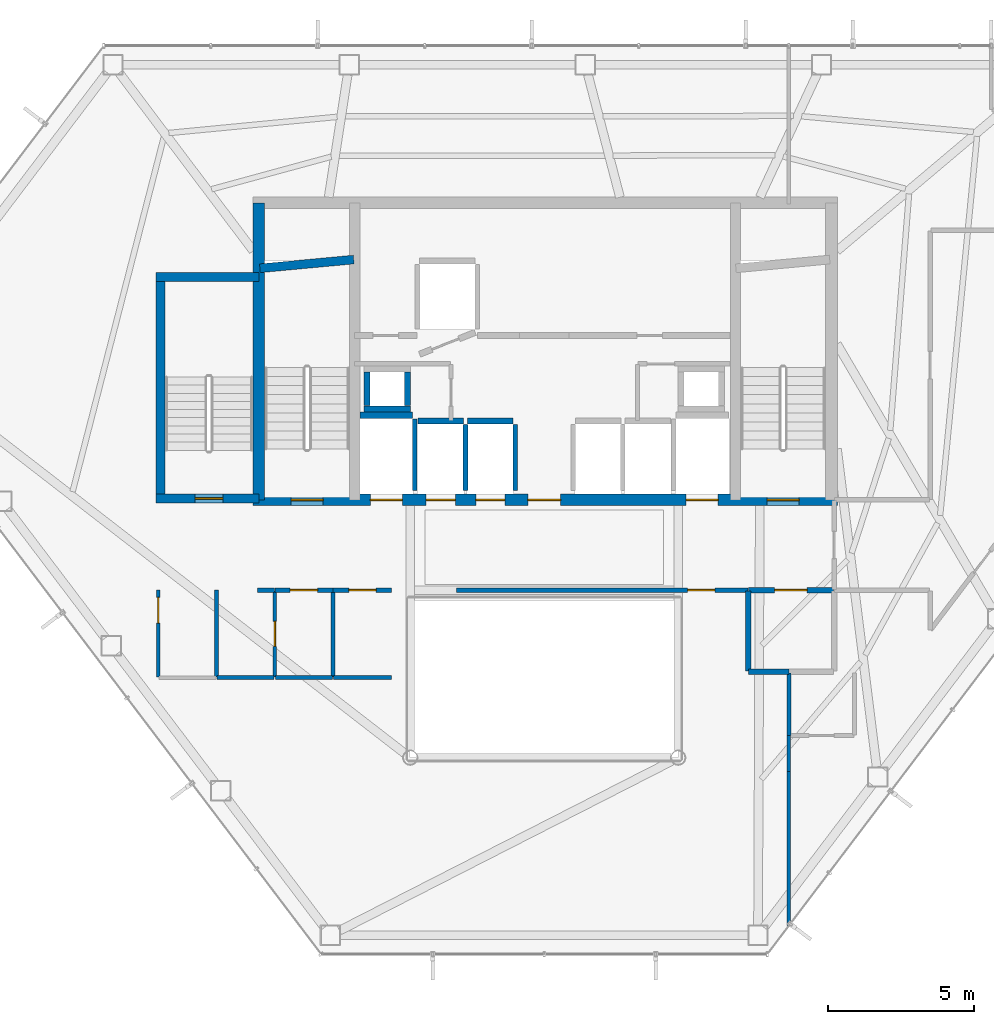
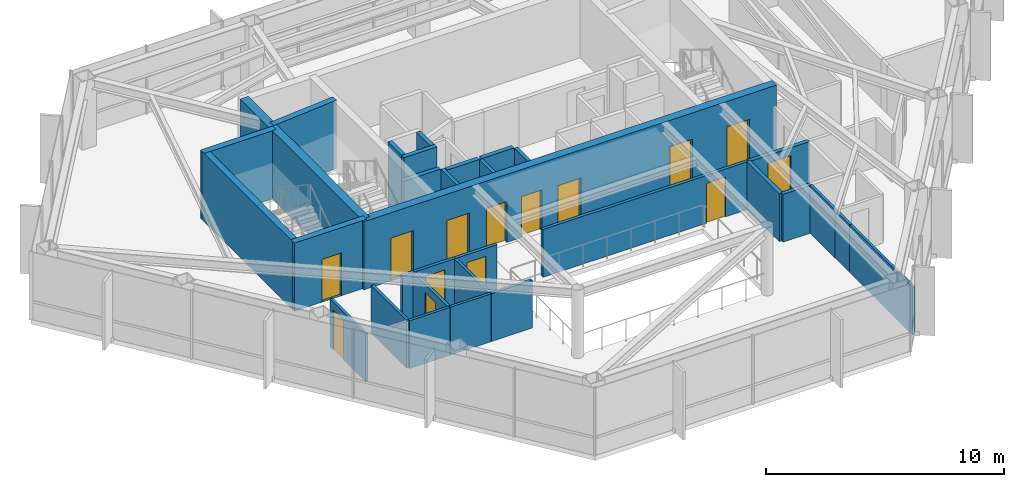
# One storey, part 25 of 28: 32 walls, 14 doors, 14 openings.
"""IFC4 building model written with IfcOpenShell, lengths in metres."""

from ifc_helpers import new_model, si_unit, direction, frame, frame_2d, origin, place, context, subcontext, project, spatial, rectangle, extrude, material, layer, layer_set, type_object, element, fill, save


model = new_model("IFC4")

# Units and contexts
model_context = context("Model", 3, precision=1e-05, world=origin(), true_north=direction((0.0, 1.0)))
body_context = subcontext(model_context, "Body", "Model", "MODEL_VIEW")
ifc_project = project(units=[si_unit("LENGTHUNIT", "METRE"), si_unit("AREAUNIT", "SQUARE_METRE"), si_unit("VOLUMEUNIT", "CUBIC_METRE"), si_unit("PLANEANGLEUNIT", "RADIAN"), si_unit("MASSUNIT", "GRAM", prefix="KILO")], contexts=[model_context])

# Site, building, storey
site_placement = place(None, origin())
site = spatial("IfcSite", under=ifc_project, at=site_placement, CompositionType="ELEMENT")
building_placement = place(site_placement, origin())
building = spatial("IfcBuilding", under=site, at=building_placement, Name="Zarrinselat Tower", CompositionType="ELEMENT")
storey_placement = place(building_placement, frame((0.0, 0.0, 164.56005859375)))
storey = spatial("IfcBuildingStorey", under=building, at=storey_placement, Name="L40", CompositionType="ELEMENT", Elevation=164.56005859375)

# Wall, opening, door
ifc_material_1 = material(Name="Concrete C40/50", Category="concrete")
ifc_layer_1 = layer(ifc_material_1, 0.18994140625)
ifc_layer_set_1 = layer_set([ifc_layer_1], Name="Concrete C40/50")
wall_type_1 = type_object("IfcWallType", Name="WAL-PART-EI120", PredefinedType="PARTITIONING", material=ifc_layer_set_1)
wall_1_placement = place(storey_placement, frame((45.405029296875, 30.14990234375, 0.0), z_axis=(0.0, 0.0, 1.0), x_axis=(1.0, 0.0, 0.0)))
wall_1 = element("IfcWall", 1, at=wall_1_placement, inside=storey, type_object=wall_type_1, Name="L40 Partition Wall 9", PredefinedType="PARTITIONING", context=body_context, shape_type="SweptSolid", body=[
    extrude(rectangle(XDim=2.925048828125, YDim=0.18994140625, at=frame_2d((1.46240234375, 0.0))), origin(), (0.0, 0.0, 1.0), 2.45703125),
])
opening_1_placement = place(wall_1_placement, frame((0.902587890625, 0.0, 0.0)))
opening_1 = element("IfcOpeningElement", 2, at=opening_1_placement, cuts=wall_1, Name="Opening ID-02", PredefinedType="OPENING", context=body_context, shape_type="SweptSolid", body=[
    extrude(rectangle(XDim=1.1201171875, YDim=2.050048828125, at=frame_2d((0.56005859375, 1.02490234375))), frame((0.0, 0.10498046875, 0.0), z_axis=(0.0, -1.0, 0.0), x_axis=(1.0, 0.0, 0.0)), (0.0, 0.0, 1.0), 0.2099609375),
])
ifc_material_2 = material(Name="Steel S355J2", Category="steel")
door_type_1 = type_object("IfcDoorType", Name="DR-INT-FD60-W", OperationType="NOTDEFINED", PredefinedType="DOOR", material=ifc_material_2)
door_1_placement = place(opening_1_placement, origin())
door_1 = element("IfcDoor", 3, at=door_1_placement, inside=storey, type_object=door_type_1, Name="L40 Interior Door P9", OperationType="SINGLE_SWING_RIGHT", OverallHeight=2.050048828125, OverallWidth=1.1201171875, PredefinedType="DOOR", context=body_context, shape_type="SweptSolid", body=[
    extrude(rectangle(XDim=1.1201171875, YDim=2.050048828125, at=frame_2d((0.56005859375, 1.02490234375))), frame((0.0, 0.02490234375, 0.0), z_axis=(0.0, -1.0, 0.0), x_axis=(1.0, 0.0, 0.0)), (0.0, 0.0, 1.0), 0.050048828125),
])
fill(opening_1, door_1)

# Walls
wall_2_placement = place(storey_placement, frame((45.419921875, 27.35009765625, 0.0), z_axis=(0.0, 0.0, 1.0), x_axis=(1.0, 0.0, 0.0)))
element("IfcWall", 4, at=wall_2_placement, inside=storey, type_object=wall_type_1, Name="L40 Partition Wall 15", PredefinedType="PARTITIONING", context=body_context, shape_type="SweptSolid", body=[
    extrude(rectangle(XDim=1.375, YDim=0.18994140625, at=frame_2d((0.6875, 0.0))), origin(), (0.0, 0.0, 1.0), 2.45703125),
])
wall_3_placement = place(storey_placement, frame((45.39990234375, 27.3701171875, 0.0), z_axis=(0.0, 0.0, 1.0), x_axis=(0.0, 1.0, 0.0)))
element("IfcWall", 5, at=wall_3_placement, inside=storey, type_object=wall_type_1, Name="L40 Partition Wall 16", PredefinedType="PARTITIONING", context=body_context, shape_type="SweptSolid", body=[
    extrude(rectangle(XDim=2.759765625, YDim=0.18994140625, at=frame_2d((1.3798828125, 0.0))), origin(), (0.0, 0.0, 1.0), 2.45703125),
])
ifc_material_3 = material(Name="Fire-Rated Gypsum Board Partition", Category="gypsum")
ifc_layer_2 = layer(ifc_material_3, 0.14990234375)
ifc_layer_set_2 = layer_set([ifc_layer_2], Name="Fire-Rated Gypsum Board Partition")
wall_type_2 = type_object("IfcWallType", Name="WAL-PART-EI60", PredefinedType="PARTITIONING", material=ifc_layer_set_2)
wall_4_placement = place(storey_placement, frame((28.550048828125, 30.14990234375, 0.0), z_axis=(0.0, 0.0, 1.0), x_axis=(1.0, 0.0, 0.0)))
element("IfcWall", 6, at=wall_4_placement, inside=storey, type_object=wall_type_2, Name="L40 Partition Wall 11", PredefinedType="PARTITIONING", context=body_context, shape_type="SweptSolid", body=[
    extrude(rectangle(XDim=0.594970703125, YDim=0.14990234375, at=frame_2d((0.29736328125, 0.0))), origin(), (0.0, 0.0, 1.0), 2.45703125),
])

# Wall, opening, door
wall_5_placement = place(storey_placement, frame((29.155029296875, 30.14990234375, 0.0), z_axis=(0.0, 0.0, 1.0), x_axis=(1.0, 0.0, 0.0)))
wall_5 = element("IfcWall", 7, at=wall_5_placement, inside=storey, type_object=wall_type_2, Name="L40 Partition Wall 12", PredefinedType="PARTITIONING", context=body_context, shape_type="SweptSolid", body=[
    extrude(rectangle(XDim=1.989990234375, YDim=0.14990234375, at=frame_2d((0.9951171875, 0.0))), origin(), (0.0, 0.0, 1.0), 2.45703125),
])
opening_2_placement = place(wall_5_placement, frame((0.52490234375, 0.0, 0.0)))
opening_2 = element("IfcOpeningElement", 8, at=opening_2_placement, cuts=wall_5, Name="Opening ID-04", PredefinedType="OPENING", context=body_context, shape_type="SweptSolid", body=[
    extrude(rectangle(XDim=0.93994140625, YDim=2.050048828125, at=frame_2d((0.469970703125, 1.02490234375))), frame((0.0, 0.0849609375, 0.0), z_axis=(0.0, -1.0, 0.0), x_axis=(1.0, 0.0, 0.0)), (0.0, 0.0, 1.0), 0.169921875),
])
ifc_material_4 = material(Name="Fire-Rated Gypsum Board Partition")
door_type_2 = type_object("IfcDoorType", Name="DR-INT-FD30-ENT", OperationType="NOTDEFINED", PredefinedType="DOOR", material=ifc_material_4)
door_2_placement = place(opening_2_placement, origin())
door_2 = element("IfcDoor", 9, at=door_2_placement, inside=storey, type_object=door_type_2, Name="L40 Interior Door P12", OperationType="SINGLE_SWING_RIGHT", OverallHeight=2.050048828125, OverallWidth=0.93994140625, PredefinedType="DOOR", context=body_context, shape_type="SweptSolid", body=[
    extrude(rectangle(XDim=0.93994140625, YDim=2.050048828125, at=frame_2d((0.469970703125, 1.02490234375))), frame((0.0, 0.02490234375, 0.0), z_axis=(0.0, -1.0, 0.0), x_axis=(1.0, 0.0, 0.0)), (0.0, 0.0, 1.0), 0.050048828125),
])
fill(opening_2, door_2)

wall_6_placement = place(storey_placement, frame((31.155029296875, 30.14990234375, 0.0), z_axis=(0.0, 0.0, 1.0), x_axis=(1.0, 0.0, 0.0)))
wall_6 = element("IfcWall", 10, at=wall_6_placement, inside=storey, type_object=wall_type_2, Name="L40 Partition Wall 13", PredefinedType="PARTITIONING", context=body_context, shape_type="SweptSolid", body=[
    extrude(rectangle(XDim=2.010009765625, YDim=0.14990234375, at=frame_2d((1.0048828125, 0.0))), origin(), (0.0, 0.0, 1.0), 2.45703125),
])
opening_3_placement = place(wall_6_placement, frame((0.534912109375, 0.0, 0.0)))
opening_3 = element("IfcOpeningElement", 11, at=opening_3_placement, cuts=wall_6, Name="Opening ID-04", PredefinedType="OPENING", context=body_context, shape_type="SweptSolid", body=[
    extrude(rectangle(XDim=0.93994140625, YDim=2.050048828125, at=frame_2d((0.469970703125, 1.02490234375))), frame((0.0, 0.0849609375, 0.0), z_axis=(0.0, -1.0, 0.0), x_axis=(1.0, 0.0, 0.0)), (0.0, 0.0, 1.0), 0.169921875),
])
door_3_placement = place(opening_3_placement, origin())
door_3 = element("IfcDoor", 12, at=door_3_placement, inside=storey, type_object=door_type_2, Name="L40 Interior Door P13", OperationType="SINGLE_SWING_LEFT", OverallHeight=2.050048828125, OverallWidth=0.93994140625, PredefinedType="DOOR", context=body_context, shape_type="SweptSolid", body=[
    extrude(rectangle(XDim=0.93994140625, YDim=2.050048828125, at=frame_2d((0.469970703125, 1.02490234375))), frame((0.0, 0.02490234375, 0.0), z_axis=(0.0, -1.0, 0.0), x_axis=(1.0, 0.0, 0.0)), (0.0, 0.0, 1.0), 0.050048828125),
])
fill(opening_3, door_3)

wall_7_placement = place(storey_placement, frame((35.385009765625, 30.14990234375, 0.0), z_axis=(0.0, 0.0, 1.0), x_axis=(1.0, 0.0, 0.0)))
wall_7 = element("IfcWall", 13, at=wall_7_placement, inside=storey, type_object=wall_type_2, Name="L40 Partition Wall 14", PredefinedType="PARTITIONING", context=body_context, shape_type="SweptSolid", body=[
    extrude(rectangle(XDim=10.010009765625, YDim=0.14990234375, at=frame_2d((5.0048828125, 0.0))), origin(), (0.0, 0.0, 1.0), 2.45703125),
])
opening_4_placement = place(wall_7_placement, frame((7.93505859375, 0.0, 0.0)))
opening_4 = element("IfcOpeningElement", 14, at=opening_4_placement, cuts=wall_7, Name="Opening ID-04", PredefinedType="OPENING", context=body_context, shape_type="SweptSolid", body=[
    extrude(rectangle(XDim=0.93994140625, YDim=2.050048828125, at=frame_2d((0.469970703125, 1.02490234375))), frame((0.0, 0.0849609375, 0.0), z_axis=(0.0, -1.0, 0.0), x_axis=(1.0, 0.0, 0.0)), (0.0, 0.0, 1.0), 0.169921875),
])
door_4_placement = place(opening_4_placement, origin())
door_4 = element("IfcDoor", 15, at=door_4_placement, inside=storey, type_object=door_type_2, Name="L40 Interior Door P14", OperationType="SINGLE_SWING_RIGHT", OverallHeight=2.050048828125, OverallWidth=0.93994140625, PredefinedType="DOOR", context=body_context, shape_type="SweptSolid", body=[
    extrude(rectangle(XDim=0.93994140625, YDim=2.050048828125, at=frame_2d((0.469970703125, 1.02490234375))), frame((0.0, 0.02490234375, 0.0), z_axis=(0.0, -1.0, 0.0), x_axis=(1.0, 0.0, 0.0)), (0.0, 0.0, 1.0), 0.050048828125),
])
fill(opening_4, door_4)

ifc_material_5 = material(Name="Fire-Rated Gypsum Board Partition", Category="gypsum")
ifc_layer_3 = layer(ifc_material_5, 0.1201171875)
ifc_layer_set_3 = layer_set([ifc_layer_3], Name="Fire-Rated Gypsum Board Partition")
wall_type_3 = type_object("IfcWallType", Name="WAL-PART-STD", PredefinedType="PARTITIONING", material=ifc_layer_set_3)
wall_8_placement = place(storey_placement, frame((25.14990234375, 27.169921875, 0.0), z_axis=(0.0, 0.0, 1.0), x_axis=(0.0, 1.0, 0.0)))
wall_8 = element("IfcWall", 16, at=wall_8_placement, inside=storey, type_object=wall_type_3, Name="L40 Partition Wall 30", PredefinedType="PARTITIONING", context=body_context, shape_type="SweptSolid", body=[
    extrude(rectangle(XDim=2.97998046875, YDim=0.1201171875, at=frame_2d((1.489990234375, 0.0))), origin(), (0.0, 0.0, 1.0), 2.45703125),
])
opening_5_placement = place(wall_8_placement, frame((1.85009765625, 0.0, 0.0)))
opening_5 = element("IfcOpeningElement", 17, at=opening_5_placement, cuts=wall_8, Name="Opening ID-03", PredefinedType="OPENING", context=body_context, shape_type="SweptSolid", body=[
    extrude(rectangle(XDim=0.8798828125, YDim=2.050048828125, at=frame_2d((0.43994140625, 1.02490234375))), frame((0.0, 0.070068359375, 0.0), z_axis=(0.0, -1.0, 0.0), x_axis=(1.0, 0.0, 0.0)), (0.0, 0.0, 1.0), 0.14013671875),
])
ifc_material_6 = material(Name="Steel S355J2", Category="steel")
door_type_3 = type_object("IfcDoorType", Name="DR-INT-FD60-S", OperationType="NOTDEFINED", PredefinedType="DOOR", material=ifc_material_6)
door_5_placement = place(opening_5_placement, origin())
door_5 = element("IfcDoor", 18, at=door_5_placement, inside=storey, type_object=door_type_3, Name="L40 Interior Door P30", OperationType="SINGLE_SWING_LEFT", OverallHeight=2.050048828125, OverallWidth=0.8798828125, PredefinedType="DOOR", context=body_context, shape_type="SweptSolid", body=[
    extrude(rectangle(XDim=0.8798828125, YDim=2.050048828125, at=frame_2d((0.43994140625, 1.02490234375))), frame((0.0, 0.02490234375, 0.0), z_axis=(0.0, -1.0, 0.0), x_axis=(1.0, 0.0, 0.0)), (0.0, 0.0, 1.0), 0.050048828125),
])
fill(opening_5, door_5)

# Walls
wall_9_placement = place(storey_placement, frame((46.800048828125, 23.931640625, 0.0), z_axis=(0.0, 0.0, 1.0), x_axis=(0.0, 1.0, 0.0)))
element("IfcWall", 19, at=wall_9_placement, inside=storey, type_object=wall_type_3, Name="L40 Partition Wall 36", PredefinedType="PARTITIONING", context=body_context, shape_type="SweptSolid", body=[
    extrude(rectangle(XDim=1.227783203125, YDim=0.1201171875, at=frame_2d((0.61376953125, 0.0))), origin(), (0.0, 0.0, 1.0), 2.45703125),
])
wall_10_placement = place(storey_placement, frame((46.800048828125, 18.641845703125, 0.0), z_axis=(0.0, 0.0, 1.0), x_axis=(0.0, 1.0, 0.0)))
element("IfcWall", 20, at=wall_10_placement, inside=storey, type_object=wall_type_3, Name="L40 Partition Wall 37", PredefinedType="PARTITIONING", context=body_context, shape_type="SweptSolid", body=[
    extrude(rectangle(XDim=5.289794921875, YDim=0.1201171875, at=frame_2d((2.64501953125, 0.0))), origin(), (0.0, 0.0, 1.0), 2.45703125),
])
ifc_material_7 = material(Name="Fire-Rated Gypsum Board Partition", Category="gypsum")
ifc_layer_4 = layer(ifc_material_7, 0.135009765625)
ifc_layer_set_4 = layer_set([ifc_layer_4], Name="Fire-Rated Gypsum Board Partition")
wall_type_4 = type_object("IfcWallType", Name="WAL-PART-WET", PredefinedType="PARTITIONING", material=ifc_layer_set_4)
wall_11_placement = place(storey_placement, frame((27.14990234375, 27.169921875, 0.0), z_axis=(0.0, 0.0, 1.0), x_axis=(0.0, 1.0, 0.0)))
element("IfcWall", 21, at=wall_11_placement, inside=storey, type_object=wall_type_4, Name="L40 Partition Wall 28", PredefinedType="PARTITIONING", context=body_context, shape_type="SweptSolid", body=[
    extrude(rectangle(XDim=2.97998046875, YDim=0.135009765625, at=frame_2d((1.489990234375, 0.0))), origin(), (0.0, 0.0, 1.0), 2.45703125),
])

# Wall, opening, door
wall_12_placement = place(storey_placement, frame((29.14990234375, 27.169921875, 0.0), z_axis=(0.0, 0.0, 1.0), x_axis=(0.0, 1.0, 0.0)))
wall_12 = element("IfcWall", 22, at=wall_12_placement, inside=storey, type_object=wall_type_4, Name="L40 Partition Wall 31", PredefinedType="PARTITIONING", context=body_context, shape_type="SweptSolid", body=[
    extrude(rectangle(XDim=2.9599609375, YDim=0.135009765625, at=frame_2d((1.47998046875, 0.0))), origin(), (0.0, 0.0, 1.0), 2.45703125),
])
opening_6_placement = place(wall_12_placement, frame((1.050048828125, 0.0, 0.0)))
opening_6 = element("IfcOpeningElement", 23, at=opening_6_placement, cuts=wall_12, Name="Opening ID-06", PredefinedType="OPENING", context=body_context, shape_type="SweptSolid", body=[
    extrude(rectangle(XDim=0.860107421875, YDim=2.050048828125, at=frame_2d((0.43017578125, 1.02490234375))), frame((0.0, 0.077392578125, 0.0), z_axis=(0.0, -1.0, 0.0), x_axis=(1.0, 0.0, 0.0)), (0.0, 0.0, 1.0), 0.155029296875),
])
ifc_material_8 = material(Name="Extruded Aluminium Alloy EN AW-6063 T6", Category="aluminium")
door_type_4 = type_object("IfcDoorType", Name="DR-INT-WET-900", OperationType="NOTDEFINED", PredefinedType="DOOR", material=ifc_material_8)
door_6_placement = place(opening_6_placement, origin())
door_6 = element("IfcDoor", 24, at=door_6_placement, inside=storey, type_object=door_type_4, Name="L40 Interior Door P31", OperationType="SINGLE_SWING_RIGHT", OverallHeight=2.050048828125, OverallWidth=0.860107421875, PredefinedType="DOOR", context=body_context, shape_type="SweptSolid", body=[
    extrude(rectangle(XDim=0.860107421875, YDim=2.050048828125, at=frame_2d((0.43017578125, 1.02490234375))), frame((0.0, 0.02490234375, 0.0), z_axis=(0.0, -1.0, 0.0), x_axis=(1.0, 0.0, 0.0)), (0.0, 0.0, 1.0), 0.050048828125),
])
fill(opening_6, door_6)

# Walls
wall_13_placement = place(storey_placement, frame((27.169921875, 27.14990234375, 0.0), z_axis=(0.0, 0.0, 1.0), x_axis=(1.0, 0.0, 0.0)))
element("IfcWall", 25, at=wall_13_placement, inside=storey, type_object=wall_type_4, Name="L40 Partition Wall 32", PredefinedType="PARTITIONING", context=body_context, shape_type="SweptSolid", body=[
    extrude(rectangle(XDim=1.9599609375, YDim=0.135009765625, at=frame_2d((0.97998046875, 0.0))), origin(), (0.0, 0.0, 1.0), 2.45703125),
])
wall_14_placement = place(storey_placement, frame((31.14990234375, 27.169921875, 0.0), z_axis=(0.0, 0.0, 1.0), x_axis=(0.0, 1.0, 0.0)))
element("IfcWall", 26, at=wall_14_placement, inside=storey, type_object=wall_type_4, Name="L40 Partition Wall 33", PredefinedType="PARTITIONING", context=body_context, shape_type="SweptSolid", body=[
    extrude(rectangle(XDim=2.9599609375, YDim=0.135009765625, at=frame_2d((1.47998046875, 0.0))), origin(), (0.0, 0.0, 1.0), 2.45703125),
])
wall_15_placement = place(storey_placement, frame((29.169921875, 27.14990234375, 0.0), z_axis=(0.0, 0.0, 1.0), x_axis=(1.0, 0.0, 0.0)))
element("IfcWall", 27, at=wall_15_placement, inside=storey, type_object=wall_type_4, Name="L40 Partition Wall 34", PredefinedType="PARTITIONING", context=body_context, shape_type="SweptSolid", body=[
    extrude(rectangle(XDim=1.9599609375, YDim=0.135009765625, at=frame_2d((0.97998046875, 0.0))), origin(), (0.0, 0.0, 1.0), 2.45703125),
])
wall_16_placement = place(storey_placement, frame((31.169921875, 27.14990234375, 0.0), z_axis=(0.0, 0.0, 1.0), x_axis=(1.0, 0.0, 0.0)))
element("IfcWall", 28, at=wall_16_placement, inside=storey, type_object=wall_type_4, Name="L40 Partition Wall 35", PredefinedType="PARTITIONING", context=body_context, shape_type="SweptSolid", body=[
    extrude(rectangle(XDim=1.97998046875, YDim=0.135009765625, at=frame_2d((0.989990234375, 0.0))), origin(), (0.0, 0.0, 1.0), 2.45703125),
])
wall_17_placement = place(storey_placement, frame((46.800048828125, 25.16943359375, 0.0), z_axis=(0.0, 0.0, 1.0), x_axis=(0.0, 1.0, 0.0)))
element("IfcWall", 29, at=wall_17_placement, inside=storey, type_object=wall_type_4, Name="L40 Partition Wall 38", PredefinedType="PARTITIONING", context=body_context, shape_type="SweptSolid", body=[
    extrude(rectangle(XDim=2.139892578125, YDim=0.135009765625, at=frame_2d((1.06982421875, 0.0))), origin(), (0.0, 0.0, 1.0), 2.45703125),
])
ifc_material_9 = material(Name="Concrete C40/50", Category="concrete")
ifc_layer_5 = layer(ifc_material_9, 0.2099609375)
ifc_layer_set_5 = layer_set([ifc_layer_5], Name="Concrete C40/50")
wall_type_5 = type_object("IfcWallType", Name="WAL-SHAFT-210", PredefinedType="SOLIDWALL", material=ifc_layer_set_5)
wall_18_placement = place(storey_placement, frame((32.080078125, 36.155029296875, 0.0), z_axis=(0.0, 0.0, 1.0), x_axis=(1.0, 0.0, 0.0)))
element("IfcWall", 30, at=wall_18_placement, inside=storey, type_object=wall_type_5, Name="L40 Lift FFL1 North Shaft Wall", PredefinedType="SOLIDWALL", context=body_context, shape_type="SweptSolid", body=[
    extrude(rectangle(XDim=1.7998046875, YDim=0.2099609375, at=frame_2d((0.89990234375, 0.0))), origin(), (0.0, 0.0, 1.0), 2.471923828125),
])
wall_19_placement = place(storey_placement, frame((33.949951171875, 33.580078125, 0.0), z_axis=(0.0, 0.0, 1.0), x_axis=(0.0, 1.0, 0.0)))
element("IfcWall", 31, at=wall_19_placement, inside=storey, type_object=wall_type_5, Name="L40 Lift FFL1 E Shaft Wall", PredefinedType="SOLIDWALL", context=body_context, shape_type="SweptSolid", body=[
    extrude(rectangle(XDim=2.449951171875, YDim=0.159912109375, at=frame_2d((1.22509765625, 0.0))), origin(), (0.0, 0.0, 1.0), 2.471923828125),
])
wall_20_placement = place(storey_placement, frame((34.070068359375, 35.955078125, 0.0), z_axis=(0.0, 0.0, 1.0), x_axis=(1.0, 0.0, 0.0)))
element("IfcWall", 32, at=wall_20_placement, inside=storey, type_object=wall_type_5, Name="L40 Lift PL5 North Shaft Wall", PredefinedType="SOLIDWALL", context=body_context, shape_type="SweptSolid", body=[
    extrude(rectangle(XDim=1.559814453125, YDim=0.2099609375, at=frame_2d((0.77978515625, 0.0))), origin(), (0.0, 0.0, 1.0), 2.471923828125),
])
wall_21_placement = place(storey_placement, frame((35.699951171875, 33.580078125, 0.0), z_axis=(0.0, 0.0, 1.0), x_axis=(0.0, 1.0, 0.0)))
element("IfcWall", 33, at=wall_21_placement, inside=storey, type_object=wall_type_5, Name="L40 Lift PL5 E Shaft Wall", PredefinedType="SOLIDWALL", context=body_context, shape_type="SweptSolid", body=[
    extrude(rectangle(XDim=2.25, YDim=0.159912109375, at=frame_2d((1.125, 0.0))), origin(), (0.0, 0.0, 1.0), 2.471923828125),
])
wall_22_placement = place(storey_placement, frame((35.77001953125, 35.955078125, 0.0), z_axis=(0.0, 0.0, 1.0), x_axis=(1.0, 0.0, 0.0)))
element("IfcWall", 34, at=wall_22_placement, inside=storey, type_object=wall_type_5, Name="L40 Lift PL6 North Shaft Wall", PredefinedType="SOLIDWALL", context=body_context, shape_type="SweptSolid", body=[
    extrude(rectangle(XDim=1.56005859375, YDim=0.2099609375, at=frame_2d((0.780029296875, 0.0))), origin(), (0.0, 0.0, 1.0), 2.471923828125),
])
wall_23_placement = place(storey_placement, frame((37.39990234375, 33.580078125, 0.0), z_axis=(0.0, 0.0, 1.0), x_axis=(0.0, 1.0, 0.0)))
element("IfcWall", 35, at=wall_23_placement, inside=storey, type_object=wall_type_5, Name="L40 Lift PL6 E Shaft Wall", PredefinedType="SOLIDWALL", context=body_context, shape_type="SweptSolid", body=[
    extrude(rectangle(XDim=2.25, YDim=0.159912109375, at=frame_2d((1.125, 0.0))), origin(), (0.0, 0.0, 1.0), 2.471923828125),
])
wall_24_placement = place(storey_placement, frame((32.2099609375, 36.375, 0.0), z_axis=(0.0, 0.0, 1.0), x_axis=(1.0, 0.0, 0.0)))
element("IfcWall", 36, at=wall_24_placement, inside=storey, type_object=wall_type_5, Name="L40 Core Riser RSR-W S Shaft Wall", PredefinedType="SOLIDWALL", context=body_context, shape_type="SweptSolid", body=[
    extrude(rectangle(XDim=1.60009765625, YDim=0.2099609375, at=frame_2d((0.800048828125, 0.0))), origin(), (0.0, 0.0, 1.0), 3.5),
])
for number, where, z_axis, x_axis, name in (
    (37, (32.31494140625, 36.485107421875, 0.0), (0.0, 0.0, 1.0), (0.0, 1.0, 0.0), "L40 Core Riser RSR-W W Shaft Wall"),
    (38, (33.705078125, 36.485107421875, 0.0), (0.0, 0.0, 1.0), (0.0, 1.0, 0.0), "L40 Core Riser RSR-W E Shaft Wall"),
):
    element("IfcWall", number, at=place(storey_placement, frame(where, z_axis=z_axis, x_axis=x_axis)), inside=storey, type_object=wall_type_5, Name=name, PredefinedType="SOLIDWALL", context=body_context, shape_type="SweptSolid", body=[
        extrude(rectangle(XDim=1.14990234375, YDim=0.2099609375, at=frame_2d((0.574951171875, 0.0))), origin(), (0.0, 0.0, 1.0), 3.5),
    ])
ifc_material_10 = material(Name="Concrete C40/50", Category="concrete")
ifc_layer_6 = layer(ifc_material_10, 0.300048828125)
ifc_layer_set_6 = layer_set([ifc_layer_6], Name="Concrete C40/50")
wall_type_6 = type_object("IfcWallType", Name="WAL-SHEAR-300", PredefinedType="SHEAR", material=ifc_layer_set_6)
wall_25_placement = place(storey_placement, frame((28.639892578125, 41.199951171875, 0.0), z_axis=(0.0, 0.0, 1.0), x_axis=(0.995687118776, 0.092774789157, 0.0)))
element("IfcWall", 39, at=wall_25_placement, inside=storey, type_object=wall_type_6, Name="L40 Stair 1 North Shaft Wall", PredefinedType="SHEAR", context=body_context, shape_type="SweptSolid", body=[
    extrude(rectangle(XDim=3.234130859375, YDim=0.300048828125, at=frame_2d((1.6171875, 0.0))), origin(), (0.0, 0.0, 1.0), 3.5),
])
wall_26_placement = place(storey_placement, frame((25.080078125, 40.89990234375, 0.0), z_axis=(0.0, 0.0, 1.0), x_axis=(1.0, 0.0, 0.0)))
element("IfcWall", 40, at=wall_26_placement, inside=storey, type_object=wall_type_6, Name="L40 Stair 3 North Shear Wall", PredefinedType="SHEAR", context=body_context, shape_type="SweptSolid", body=[
    extrude(rectangle(XDim=3.52001953125, YDim=0.300048828125, at=frame_2d((1.760009765625, 0.0))), origin(), (0.0, 0.0, 1.0), 3.5),
])

# Wall, opening, door
wall_27_placement = place(storey_placement, frame((25.080078125, 33.300048828125, 0.0), z_axis=(0.0, 0.0, 1.0), x_axis=(1.0, 0.0, 0.0)))
wall_27 = element("IfcWall", 41, at=wall_27_placement, inside=storey, type_object=wall_type_6, Name="L40 Stair 3 South Shear Wall", PredefinedType="SHEAR", context=body_context, shape_type="SweptSolid", body=[
    extrude(rectangle(XDim=3.52001953125, YDim=0.300048828125, at=frame_2d((1.760009765625, 0.0))), origin(), (0.0, 0.0, 1.0), 3.5),
])
opening_7_placement = place(wall_27_placement, frame((1.3349609375, 0.0, 0.0)))
opening_7 = element("IfcOpeningElement", 42, at=opening_7_placement, cuts=wall_27, Name="Opening SD-02", PredefinedType="OPENING", context=body_context, shape_type="SweptSolid", body=[
    extrude(rectangle(XDim=0.949951171875, YDim=2.199951171875, at=frame_2d((0.47509765625, 1.10009765625))), frame((0.0, 0.159912109375, 0.0), z_axis=(0.0, -1.0, 0.0), x_axis=(1.0, 0.0, 0.0)), (0.0, 0.0, 1.0), 0.320068359375),
])
ifc_material_11 = material(Name="Steel S355J2", Category="steel")
door_type_5 = type_object("IfcDoorType", Name="DR-STAIR-1050", OperationType="NOTDEFINED", PredefinedType="DOOR", material=ifc_material_11)
door_7_placement = place(opening_7_placement, origin())
door_7 = element("IfcDoor", 43, at=door_7_placement, inside=storey, type_object=door_type_5, Name="L40 Exit Stair 3 Fire Door", OperationType="SINGLE_SWING_LEFT", OverallHeight=2.199951171875, OverallWidth=0.949951171875, PredefinedType="DOOR", context=body_context, shape_type="SweptSolid", body=[
    extrude(rectangle(XDim=0.949951171875, YDim=2.199951171875, at=frame_2d((0.47509765625, 1.10009765625))), frame((0.0, 0.02490234375, 0.0), z_axis=(0.0, -1.0, 0.0), x_axis=(1.0, 0.0, 0.0)), (0.0, 0.0, 1.0), 0.050048828125),
])
fill(opening_7, door_7)

# Wall
wall_28_placement = place(storey_placement, frame((25.22998046875, 33.300048828125, 0.0), z_axis=(0.0, 0.0, 1.0), x_axis=(0.0, 1.0, 0.0)))
element("IfcWall", 44, at=wall_28_placement, inside=storey, type_object=wall_type_6, Name="L40 Stair 3 West Shear Wall", PredefinedType="SHEAR", context=body_context, shape_type="SweptSolid", body=[
    extrude(rectangle(XDim=7.599853515625, YDim=0.300048828125, at=frame_2d((3.7998046875, 0.0))), origin(), (0.0, 0.0, 1.0), 3.5),
])

# Wall, openings, doors
ifc_material_12 = material(Name="Concrete C60/75", Category="concrete")
ifc_layer_7 = layer(ifc_material_12, 0.39990234375)
ifc_layer_set_7 = layer_set([ifc_layer_7], Name="Concrete C60/75")
wall_type_7 = type_object("IfcWallType", Name="WAL-SHEAR-400", PredefinedType="SHEAR", material=ifc_layer_set_7)
wall_29_placement = place(storey_placement, frame((28.39990234375, 33.25, 0.0), z_axis=(0.0, 0.0, 1.0), x_axis=(1.0, 0.0, 0.0)))
wall_29 = element("IfcWall", 45, at=wall_29_placement, inside=storey, type_object=wall_type_7, Name="L40 South Core Shear Wall", PredefinedType="SHEAR", context=body_context, shape_type="SweptSolid", body=[
    extrude(rectangle(XDim=20.06005859375, YDim=0.39990234375, at=frame_2d((10.030029296875, 0.0))), origin(), (0.0, 0.0, 1.0), 3.5),
])
opening_8_placement = place(wall_29_placement, frame((4.030029296875, 0.0, 0.0)))
opening_8 = element("IfcOpeningElement", 46, at=opening_8_placement, cuts=wall_29, Name="Opening LD-FFL1", PredefinedType="OPENING", context=body_context, shape_type="SweptSolid", body=[
    extrude(rectangle(XDim=1.10009765625, YDim=2.14990234375, at=frame_2d((0.550048828125, 1.074951171875))), frame((0.0, 0.2099609375, 0.0), z_axis=(0.0, -1.0, 0.0), x_axis=(1.0, 0.0, 0.0)), (0.0, 0.0, 1.0), 0.419921875),
])
opening_9_placement = place(wall_29_placement, frame((14.8701171875, 0.0, 0.0)))
opening_9 = element("IfcOpeningElement", 47, at=opening_9_placement, cuts=wall_29, Name="Opening LD-FFL2", PredefinedType="OPENING", context=body_context, shape_type="SweptSolid", body=[
    extrude(rectangle(XDim=1.10009765625, YDim=2.14990234375, at=frame_2d((0.550048828125, 1.074951171875))), frame((0.0, 0.2099609375, 0.0), z_axis=(0.0, -1.0, 0.0), x_axis=(1.0, 0.0, 0.0)), (0.0, 0.0, 1.0), 0.419921875),
])
opening_10_placement = place(wall_29_placement, frame((5.949951171875, 0.0, 0.0)))
opening_10 = element("IfcOpeningElement", 48, at=opening_10_placement, cuts=wall_29, Name="Opening LD-PL5", PredefinedType="OPENING", context=body_context, shape_type="SweptSolid", body=[
    extrude(rectangle(XDim=1.0, YDim=2.10009765625, at=frame_2d((0.5, 1.050048828125))), frame((0.0, 0.2099609375, 0.0), z_axis=(0.0, -1.0, 0.0), x_axis=(1.0, 0.0, 0.0)), (0.0, 0.0, 1.0), 0.419921875),
])
opening_11_placement = place(wall_29_placement, frame((7.64990234375, 0.0, 0.0)))
opening_11 = element("IfcOpeningElement", 49, at=opening_11_placement, cuts=wall_29, Name="Opening LD-PL6", PredefinedType="OPENING", context=body_context, shape_type="SweptSolid", body=[
    extrude(rectangle(XDim=1.0, YDim=2.10009765625, at=frame_2d((0.5, 1.050048828125))), frame((0.0, 0.2099609375, 0.0), z_axis=(0.0, -1.0, 0.0), x_axis=(1.0, 0.0, 0.0)), (0.0, 0.0, 1.0), 0.419921875),
])
opening_12_placement = place(wall_29_placement, frame((1.31005859375, 0.0, 0.0)))
opening_12 = element("IfcOpeningElement", 50, at=opening_12_placement, cuts=wall_29, Name="Opening SD-01", PredefinedType="OPENING", context=body_context, shape_type="SweptSolid", body=[
    extrude(rectangle(XDim=1.10009765625, YDim=2.199951171875, at=frame_2d((0.550048828125, 1.10009765625))), frame((0.0, 0.2099609375, 0.0), z_axis=(0.0, -1.0, 0.0), x_axis=(1.0, 0.0, 0.0)), (0.0, 0.0, 1.0), 0.419921875),
])
opening_13_placement = place(wall_29_placement, frame((9.43994140625, 0.0, 0.0)))
opening_13 = element("IfcOpeningElement", 51, at=opening_13_placement, cuts=wall_29, Name="Opening ID-02", PredefinedType="OPENING", context=body_context, shape_type="SweptSolid", body=[
    extrude(rectangle(XDim=1.1201171875, YDim=2.050048828125, at=frame_2d((0.56005859375, 1.02490234375))), frame((0.0, 0.2099609375, 0.0), z_axis=(0.0, -1.0, 0.0), x_axis=(1.0, 0.0, 0.0)), (0.0, 0.0, 1.0), 0.419921875),
])
opening_14_placement = place(wall_29_placement, frame((17.64990234375, 0.0, 0.0)))
opening_14 = element("IfcOpeningElement", 52, at=opening_14_placement, cuts=wall_29, Name="Opening SD-01", PredefinedType="OPENING", context=body_context, shape_type="SweptSolid", body=[
    extrude(rectangle(XDim=1.10009765625, YDim=2.199951171875, at=frame_2d((0.550048828125, 1.10009765625))), frame((0.0, 0.2099609375, 0.0), z_axis=(0.0, -1.0, 0.0), x_axis=(1.0, 0.0, 0.0)), (0.0, 0.0, 1.0), 0.419921875),
])
door_8_placement = place(opening_13_placement, origin())
door_8 = element("IfcDoor", 53, at=door_8_placement, inside=storey, type_object=door_type_1, Name="L40 Core Service Vestibule Fire Door", OperationType="SINGLE_SWING_RIGHT", OverallHeight=2.050048828125, OverallWidth=1.1201171875, PredefinedType="DOOR", context=body_context, shape_type="SweptSolid", body=[
    extrude(rectangle(XDim=1.1201171875, YDim=2.050048828125, at=frame_2d((0.56005859375, 1.02490234375))), frame((0.0, 0.02490234375, 0.0), z_axis=(0.0, -1.0, 0.0), x_axis=(1.0, 0.0, 0.0)), (0.0, 0.0, 1.0), 0.050048828125),
])
fill(opening_13, door_8)
ifc_material_13 = material(Name="Steel S355J2", Category="steel")
door_type_6 = type_object("IfcDoorType", Name="DR-LIFT-FF-1100", OperationType="NOTDEFINED", PredefinedType="DOOR", material=ifc_material_13)
door_9_placement = place(opening_8_placement, origin())
door_9 = element("IfcDoor", 54, at=door_9_placement, inside=storey, type_object=door_type_6, Name="L40 Lift FFL1 Sliding Landing Door", OperationType="SLIDING_TO_LEFT", OverallHeight=2.14990234375, OverallWidth=1.10009765625, PredefinedType="DOOR", context=body_context, shape_type="SweptSolid", body=[
    extrude(rectangle(XDim=1.10009765625, YDim=2.14990234375, at=frame_2d((0.550048828125, 1.074951171875))), frame((0.0, 0.02490234375, 0.0), z_axis=(0.0, -1.0, 0.0), x_axis=(1.0, 0.0, 0.0)), (0.0, 0.0, 1.0), 0.050048828125),
])
fill(opening_8, door_9)
door_10_placement = place(opening_9_placement, origin())
door_10 = element("IfcDoor", 55, at=door_10_placement, inside=storey, type_object=door_type_6, Name="L40 Lift FFL2 Sliding Landing Door", OperationType="SLIDING_TO_RIGHT", OverallHeight=2.14990234375, OverallWidth=1.10009765625, PredefinedType="DOOR", context=body_context, shape_type="SweptSolid", body=[
    extrude(rectangle(XDim=1.10009765625, YDim=2.14990234375, at=frame_2d((0.550048828125, 1.074951171875))), frame((0.0, 0.02490234375, 0.0), z_axis=(0.0, -1.0, 0.0), x_axis=(1.0, 0.0, 0.0)), (0.0, 0.0, 1.0), 0.050048828125),
])
fill(opening_9, door_10)
ifc_material_14 = material(Name="Steel S355J2", Category="steel")
door_type_7 = type_object("IfcDoorType", Name="DR-LIFT-PS-1000", OperationType="NOTDEFINED", PredefinedType="DOOR", material=ifc_material_14)
door_11_placement = place(opening_10_placement, origin())
door_11 = element("IfcDoor", 56, at=door_11_placement, inside=storey, type_object=door_type_7, Name="L40 Lift PL5 Sliding Landing Door", OperationType="SLIDING_TO_LEFT", OverallHeight=2.10009765625, OverallWidth=1.0, PredefinedType="DOOR", context=body_context, shape_type="SweptSolid", body=[
    extrude(rectangle(XDim=1.0, YDim=2.10009765625, at=frame_2d((0.5, 1.050048828125))), frame((0.0, 0.02490234375, 0.0), z_axis=(0.0, -1.0, 0.0), x_axis=(1.0, 0.0, 0.0)), (0.0, 0.0, 1.0), 0.050048828125),
])
fill(opening_10, door_11)
door_12_placement = place(opening_11_placement, origin())
door_12 = element("IfcDoor", 57, at=door_12_placement, inside=storey, type_object=door_type_7, Name="L40 Lift PL6 Sliding Landing Door", OperationType="SLIDING_TO_RIGHT", OverallHeight=2.10009765625, OverallWidth=1.0, PredefinedType="DOOR", context=body_context, shape_type="SweptSolid", body=[
    extrude(rectangle(XDim=1.0, YDim=2.10009765625, at=frame_2d((0.5, 1.050048828125))), frame((0.0, 0.02490234375, 0.0), z_axis=(0.0, -1.0, 0.0), x_axis=(1.0, 0.0, 0.0)), (0.0, 0.0, 1.0), 0.050048828125),
])
fill(opening_11, door_12)
ifc_material_15 = material(Name="Steel S355J2", Category="steel")
door_type_8 = type_object("IfcDoorType", Name="DR-STAIR-1100", OperationType="NOTDEFINED", PredefinedType="DOOR", material=ifc_material_15)
door_13_placement = place(opening_12_placement, origin())
door_13 = element("IfcDoor", 58, at=door_13_placement, inside=storey, type_object=door_type_8, Name="L40 Exit Stair 1 Fire Door", OperationType="SINGLE_SWING_LEFT", OverallHeight=2.199951171875, OverallWidth=1.10009765625, PredefinedType="DOOR", context=body_context, shape_type="SweptSolid", body=[
    extrude(rectangle(XDim=1.10009765625, YDim=2.199951171875, at=frame_2d((0.550048828125, 1.10009765625))), frame((0.0, 0.02490234375, 0.0), z_axis=(0.0, -1.0, 0.0), x_axis=(1.0, 0.0, 0.0)), (0.0, 0.0, 1.0), 0.050048828125),
])
fill(opening_12, door_13)
door_14_placement = place(opening_14_placement, origin())
door_14 = element("IfcDoor", 59, at=door_14_placement, inside=storey, type_object=door_type_8, Name="L40 Exit Stair 2 Fire Door", OperationType="SINGLE_SWING_RIGHT", OverallHeight=2.199951171875, OverallWidth=1.10009765625, PredefinedType="DOOR", context=body_context, shape_type="SweptSolid", body=[
    extrude(rectangle(XDim=1.10009765625, YDim=2.199951171875, at=frame_2d((0.550048828125, 1.10009765625))), frame((0.0, 0.02490234375, 0.0), z_axis=(0.0, -1.0, 0.0), x_axis=(1.0, 0.0, 0.0)), (0.0, 0.0, 1.0), 0.050048828125),
])
fill(opening_14, door_14)

# Wall
wall_30_placement = place(storey_placement, frame((28.60009765625, 33.25, 0.0), z_axis=(0.0, 0.0, 1.0), x_axis=(0.0, 1.0, 0.0)))
element("IfcWall", 60, at=wall_30_placement, inside=storey, type_object=wall_type_7, Name="L40 Core Shear Wall W", PredefinedType="SHEAR", context=body_context, shape_type="SweptSolid", body=[
    extrude(rectangle(XDim=10.199951171875, YDim=0.39990234375, at=frame_2d((5.10009765625, 0.0))), origin(), (0.0, 0.0, 1.0), 3.5),
])

save(model, "model.ifc")
